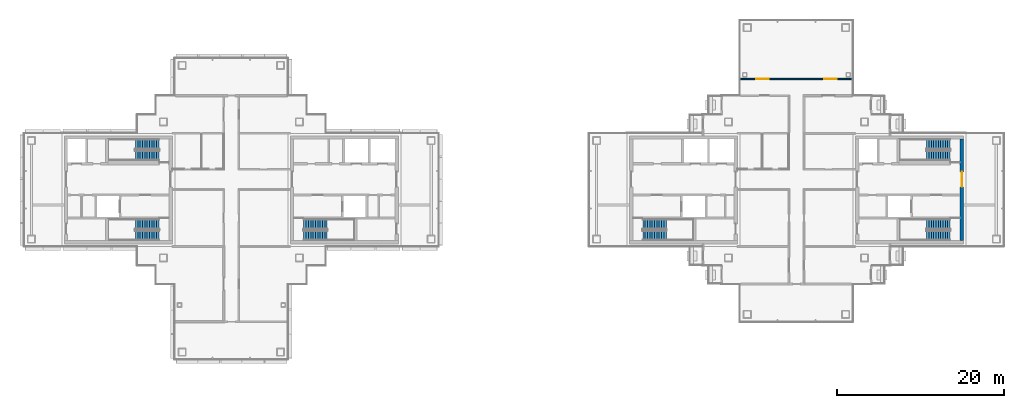
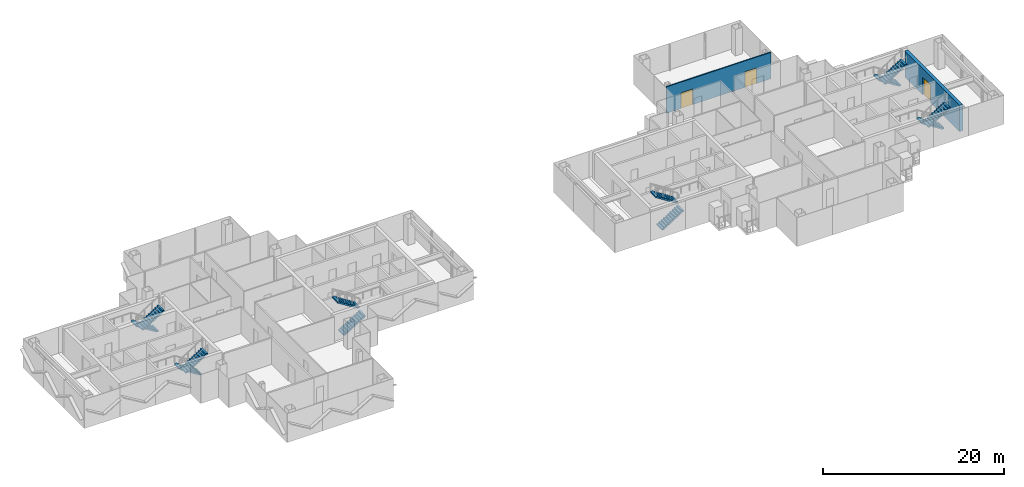
# One storey, part 13 of 17: 12 stair flights, 3 doors, 2 walls, 3 openings, 6 elements without a shape of their own.
"""IFC4 building model written with IfcOpenShell, lengths in metres."""

from ifc_helpers import new_model, si_unit, direction, frame, frame_2d, origin, place, context, subcontext, project, spatial, polyline, rectangle, outline, extrude, material, layer, layer_set, type_object, element, fill, aggregate, save


model = new_model("IFC4")

# Units and contexts
model_context = context("Model", 3, precision=1e-05, world=origin(), true_north=direction((0.0, 1.0)))
body_context = subcontext(model_context, "Body", "Model", "MODEL_VIEW")
ifc_project = project(units=[si_unit("LENGTHUNIT", "METRE"), si_unit("AREAUNIT", "SQUARE_METRE"), si_unit("VOLUMEUNIT", "CUBIC_METRE"), si_unit("PLANEANGLEUNIT", "RADIAN"), si_unit("MASSUNIT", "GRAM", prefix="KILO")], contexts=[model_context])

# Site, building, storey
site_placement = place(None, origin())
site = spatial("IfcSite", under=ifc_project, at=site_placement, CompositionType="ELEMENT")
building_placement = place(site_placement, origin())
building = spatial("IfcBuilding", under=site, at=building_placement, Name="Shamsa Quay Exchange Towers", CompositionType="ELEMENT")
storey_placement = place(building_placement, frame((0.0, 0.0, 234.300048828125)))
storey = spatial("IfcBuildingStorey", under=building, at=storey_placement, Name="L56", CompositionType="ELEMENT", Elevation=234.300048828125)

# Wall, opening, door
ifc_material_1 = material(Name="Concrete C60/75", Category="concrete")
ifc_layer_1 = layer(ifc_material_1, 0.39990234375)
ifc_layer_set_1 = layer_set([ifc_layer_1], Name="CORE WALL 400 C60/75")
wall_type_1 = type_object("IfcWallType", Name="CORE WALL 400 C60/75", PredefinedType="SHEAR", material=ifc_layer_set_1)
wall_1_placement = place(storey_placement, frame((53.5, -6.050048828125, 0.0), z_axis=(0.0, 0.0, 1.0), x_axis=(0.0, 1.0, 0.0)))
wall_1 = element("IfcWall", 1, at=wall_1_placement, inside=storey, type_object=wall_type_1, Name="Core wall T2B-R25-PF", PredefinedType="SHEAR", context=body_context, shape_type="SweptSolid", body=[
    extrude(rectangle(XDim=12.10009765625, YDim=0.39990234375, at=frame_2d((6.050048828125, 0.0))), origin(), (0.0, 0.0, 1.0), 3.550048828125),
])
opening_1_placement = place(wall_1_placement, frame((6.39990234375, 0.0, 0.0)))
opening_1 = element("IfcOpeningElement", 2, at=opening_1_placement, cuts=wall_1, Name="Opening T2B-R25-LBD01", PredefinedType="OPENING", context=body_context, shape_type="SweptSolid", body=[
    extrude(rectangle(XDim=1.800048828125, YDim=2.39990234375, at=frame_2d((0.89990234375, 1.199951171875))), frame((0.0, 0.2099609375, 0.0), z_axis=(0.0, -1.0, 0.0), x_axis=(1.0, 0.0, 0.0)), (0.0, 0.0, 1.0), 0.419921875),
])
ifc_material_2 = material(Name="Steel, fire rated", Category="steel")
door_type_1 = type_object("IfcDoorType", Name="LIFT LOBBY DOOR PAIR 1800", OperationType="DOUBLE_DOOR_SINGLE_SWING", PredefinedType="DOOR", material=ifc_material_2)
door_1_placement = place(opening_1_placement, origin())
door_1 = element("IfcDoor", 3, at=door_1_placement, inside=storey, type_object=door_type_1, Name="T2B-R25-LBD01", OperationType="DOUBLE_DOOR_SINGLE_SWING", OverallHeight=2.39990234375, OverallWidth=1.800048828125, PredefinedType="DOOR", context=body_context, shape_type="SweptSolid", body=[
    extrude(rectangle(XDim=1.800048828125, YDim=2.39990234375, at=frame_2d((0.89990234375, 1.199951171875))), frame((0.0, 0.02490234375, 0.0), z_axis=(0.0, -1.0, 0.0), x_axis=(1.0, 0.0, 0.0)), (0.0, 0.0, 1.0), 0.050048828125),
])
fill(opening_1, door_1)

# Wall, openings, doors
ifc_material_3 = material(Name="Gypsum board partition on metal studs")
ifc_layer_2 = layer(ifc_material_3, 0.14990234375)
ifc_layer_set_2 = layer_set([ifc_layer_2], Name="Partition 150 mm EI 60")
wall_type_2 = type_object("IfcWallType", Name="Partition 150 mm EI 60", PredefinedType="PARTITIONING", material=ifc_layer_set_2)
wall_2_placement = place(storey_placement, frame((40.405029296875, 13.25, 0.0), z_axis=(0.0, 0.0, 1.0), x_axis=(-1.0, 0.0, 0.0)))
wall_2 = element("IfcWall", 4, at=wall_2_placement, inside=storey, type_object=wall_type_2, Name="Partition T2-R25-W13", PredefinedType="PARTITIONING", context=body_context, shape_type="SweptSolid", body=[
    extrude(rectangle(XDim=13.31005859375, YDim=0.14990234375, at=frame_2d((6.655029296875, 0.0))), origin(), (0.0, 0.0, 1.0), 3.550048828125),
])
opening_2_placement = place(wall_2_placement, frame((9.955078125, 0.0, 0.0)))
opening_2 = element("IfcOpeningElement", 5, at=opening_2_placement, cuts=wall_2, Name="Opening T2-R25-D11", PredefinedType="OPENING", context=body_context, shape_type="SweptSolid", body=[
    extrude(rectangle(XDim=1.5, YDim=2.10009765625, at=frame_2d((0.75, 1.050048828125))), frame((0.0, 0.0849609375, 0.0), z_axis=(0.0, -1.0, 0.0), x_axis=(1.0, 0.0, 0.0)), (0.0, 0.0, 1.0), 0.169921875),
])
opening_3_placement = place(wall_2_placement, frame((1.85498046875, 0.0, 0.0)))
opening_3 = element("IfcOpeningElement", 6, at=opening_3_placement, cuts=wall_2, Name="Opening T2-R25-D12", PredefinedType="OPENING", context=body_context, shape_type="SweptSolid", body=[
    extrude(rectangle(XDim=1.5, YDim=2.10009765625, at=frame_2d((0.75, 1.050048828125))), frame((0.0, 0.0849609375, 0.0), z_axis=(0.0, -1.0, 0.0), x_axis=(1.0, 0.0, 0.0)), (0.0, 0.0, 1.0), 0.169921875),
])
ifc_material_4 = material(Name="Timber door leaf in a metal frame", Category="wood")
door_type_2 = type_object("IfcDoorType", Name="Door 1500x2100 FD30S pair", OperationType="NOTDEFINED", PredefinedType="DOOR", material=ifc_material_4)
door_2_placement = place(opening_2_placement, origin())
door_2 = element("IfcDoor", 7, at=door_2_placement, inside=storey, type_object=door_type_2, Name="Door T2-R25-D11", OperationType="DOUBLE_DOOR_SINGLE_SWING", OverallHeight=2.10009765625, OverallWidth=1.5, PredefinedType="DOOR", context=body_context, shape_type="SweptSolid", body=[
    extrude(rectangle(XDim=1.5, YDim=2.10009765625, at=frame_2d((0.75, 1.050048828125))), frame((0.0, 0.02490234375, 0.0), z_axis=(0.0, -1.0, 0.0), x_axis=(1.0, 0.0, 0.0)), (0.0, 0.0, 1.0), 0.050048828125),
])
fill(opening_2, door_2)
door_3_placement = place(opening_3_placement, origin())
door_3 = element("IfcDoor", 8, at=door_3_placement, inside=storey, type_object=door_type_2, Name="Door T2-R25-D12", OperationType="DOUBLE_DOOR_SINGLE_SWING", OverallHeight=2.10009765625, OverallWidth=1.5, PredefinedType="DOOR", context=body_context, shape_type="SweptSolid", body=[
    extrude(rectangle(XDim=1.5, YDim=2.10009765625, at=frame_2d((0.75, 1.050048828125))), frame((0.0, 0.02490234375, 0.0), z_axis=(0.0, -1.0, 0.0), x_axis=(1.0, 0.0, 0.0)), (0.0, 0.0, 1.0), 0.050048828125),
])
fill(opening_3, door_3)

# Stair, stair flights
ifc_material_5 = material(Name="Concrete C40/50", Category="concrete")
stair_type = type_object("IfcStairType", Name="EXIT STAIR 22 RISERS 177 MM", PredefinedType="HALF_TURN_STAIR", material=ifc_material_5)
stair_1_placement = place(storey_placement, origin())
stair_1 = element("IfcStair", 9, at=stair_1_placement, inside=storey, type_object=stair_type, Name="L56 Exit stair ST1", PredefinedType="HALF_TURN_STAIR")
stair_flight_type = type_object("IfcStairFlightType", Name="EXIT STAIR FLIGHT 11 RISERS 177 MM", PredefinedType="STRAIGHT", material=ifc_material_5)
stair_flight_1_placement = place(storey_placement, frame((-25.10009765625, -5.449951171875, 0.0)))
stair_flight_1 = element("IfcStairFlight", 10, at=stair_flight_1_placement, type_object=stair_flight_type, Name="ST1 flight 1", NumberOfRisers=11, NumberOfTreads=10, PredefinedType="STRAIGHT", RiserHeight=0.177272727, TreadLength=0.28, context=body_context, shape_type="SweptSolid", body=[
    extrude(outline(polyline([(0.0, 0.0), (0.0, 0.17724609375), (0.280029296875, 0.17724609375), (0.280029296875, 0.3544921875), (0.56005859375, 0.3544921875), (0.56005859375, 0.53173828125), (0.840087890625, 0.53173828125), (0.840087890625, 0.708984375), (1.1201171875, 0.708984375), (1.1201171875, 0.886474609375), (1.39990234375, 0.886474609375), (1.39990234375, 1.063720703125), (1.679931640625, 1.063720703125), (1.679931640625, 1.240966796875), (1.9599609375, 1.240966796875), (1.9599609375, 1.418212890625), (2.239990234375, 1.418212890625), (2.239990234375, 1.595458984375), (2.52001953125, 1.595458984375), (2.52001953125, 1.772705078125), (2.800048828125, 1.772705078125), (2.800048828125, 1.949951171875), (2.800048828125, 1.607177734375), (0.261474609375, 0.0), (0.0, 0.0)])), frame((0.0, 0.60009765625, 0.0), z_axis=(0.0, -1.0, 0.0), x_axis=(1.0, 0.0, 0.0)), (0.0, 0.0, 1.0), 1.199951171875),
])
stair_flight_2_placement = place(storey_placement, frame((-22.300048828125, -4.10009765625, 1.949951171875), z_axis=(0.0, 0.0, 1.0), x_axis=(-1.0, 0.0, 0.0)))
stair_flight_2 = element("IfcStairFlight", 11, at=stair_flight_2_placement, type_object=stair_flight_type, Name="ST1 flight 2", NumberOfRisers=11, NumberOfTreads=10, PredefinedType="STRAIGHT", RiserHeight=0.177272727, TreadLength=0.28, context=body_context, shape_type="SweptSolid", body=[
    extrude(outline(polyline([(0.0, 0.0), (0.0, 0.17724609375), (0.280029296875, 0.17724609375), (0.280029296875, 0.3544921875), (0.56005859375, 0.3544921875), (0.56005859375, 0.53173828125), (0.840087890625, 0.53173828125), (0.840087890625, 0.708984375), (1.1201171875, 0.708984375), (1.1201171875, 0.886474609375), (1.39990234375, 0.886474609375), (1.39990234375, 1.063720703125), (1.679931640625, 1.063720703125), (1.679931640625, 1.240966796875), (1.9599609375, 1.240966796875), (1.9599609375, 1.418212890625), (2.239990234375, 1.418212890625), (2.239990234375, 1.595458984375), (2.52001953125, 1.595458984375), (2.52001953125, 1.772705078125), (2.800048828125, 1.772705078125), (2.800048828125, 1.949951171875), (2.800048828125, 1.607177734375), (0.261474609375, 0.0), (0.0, 0.0)])), frame((0.0, 0.60009765625, 0.0), z_axis=(0.0, -1.0, 0.0), x_axis=(1.0, 0.0, 0.0)), (0.0, 0.0, 1.0), 1.199951171875),
])
aggregate(stair_1, [stair_flight_1, stair_flight_2])

stair_2_placement = place(storey_placement, origin())
stair_2 = element("IfcStair", 12, at=stair_2_placement, inside=storey, type_object=stair_type, Name="L56 Exit stair ST2", PredefinedType="HALF_TURN_STAIR")
stair_flight_3_placement = place(storey_placement, frame((-42.39990234375, -4.10009765625, 0.0), z_axis=(0.0, 0.0, 1.0), x_axis=(-1.0, 0.0, 0.0)))
stair_flight_3 = element("IfcStairFlight", 13, at=stair_flight_3_placement, type_object=stair_flight_type, Name="ST2 flight 1", NumberOfRisers=11, NumberOfTreads=10, PredefinedType="STRAIGHT", RiserHeight=0.177272727, TreadLength=0.28, context=body_context, shape_type="SweptSolid", body=[
    extrude(outline(polyline([(0.0, 0.0), (0.0, 0.17724609375), (0.280029296875, 0.17724609375), (0.280029296875, 0.3544921875), (0.56005859375, 0.3544921875), (0.56005859375, 0.53173828125), (0.840087890625, 0.53173828125), (0.840087890625, 0.708984375), (1.1201171875, 0.708984375), (1.1201171875, 0.886474609375), (1.39990234375, 0.886474609375), (1.39990234375, 1.063720703125), (1.679931640625, 1.063720703125), (1.679931640625, 1.240966796875), (1.9599609375, 1.240966796875), (1.9599609375, 1.418212890625), (2.239990234375, 1.418212890625), (2.239990234375, 1.595458984375), (2.52001953125, 1.595458984375), (2.52001953125, 1.772705078125), (2.800048828125, 1.772705078125), (2.800048828125, 1.949951171875), (2.800048828125, 1.607177734375), (0.261474609375, 0.0), (0.0, 0.0)])), frame((0.0, 0.60009765625, 0.0), z_axis=(0.0, -1.0, 0.0), x_axis=(1.0, 0.0, 0.0)), (0.0, 0.0, 1.0), 1.199951171875),
])
stair_flight_4_placement = place(storey_placement, frame((-45.199951171875, -5.449951171875, 1.949951171875)))
stair_flight_4 = element("IfcStairFlight", 14, at=stair_flight_4_placement, type_object=stair_flight_type, Name="ST2 flight 2", NumberOfRisers=11, NumberOfTreads=10, PredefinedType="STRAIGHT", RiserHeight=0.177272727, TreadLength=0.28, context=body_context, shape_type="SweptSolid", body=[
    extrude(outline(polyline([(0.0, 0.0), (0.0, 0.17724609375), (0.280029296875, 0.17724609375), (0.280029296875, 0.3544921875), (0.56005859375, 0.3544921875), (0.56005859375, 0.53173828125), (0.840087890625, 0.53173828125), (0.840087890625, 0.708984375), (1.1201171875, 0.708984375), (1.1201171875, 0.886474609375), (1.39990234375, 0.886474609375), (1.39990234375, 1.063720703125), (1.679931640625, 1.063720703125), (1.679931640625, 1.240966796875), (1.9599609375, 1.240966796875), (1.9599609375, 1.418212890625), (2.239990234375, 1.418212890625), (2.239990234375, 1.595458984375), (2.52001953125, 1.595458984375), (2.52001953125, 1.772705078125), (2.800048828125, 1.772705078125), (2.800048828125, 1.949951171875), (2.800048828125, 1.607177734375), (0.261474609375, 0.0), (0.0, 0.0)])), frame((0.0, 0.60009765625, 0.0), z_axis=(0.0, -1.0, 0.0), x_axis=(1.0, 0.0, 0.0)), (0.0, 0.0, 1.0), 1.199951171875),
])
aggregate(stair_2, [stair_flight_3, stair_flight_4])

stair_3_placement = place(storey_placement, origin())
stair_3 = element("IfcStair", 15, at=stair_3_placement, inside=storey, type_object=stair_type, Name="L56 Exit stair ST3", PredefinedType="HALF_TURN_STAIR")
stair_flight_5_placement = place(storey_placement, frame((-42.39990234375, 5.449951171875, 0.0), z_axis=(0.0, 0.0, 1.0), x_axis=(-1.0, 0.0, 0.0)))
stair_flight_5 = element("IfcStairFlight", 16, at=stair_flight_5_placement, type_object=stair_flight_type, Name="ST3 flight 1", NumberOfRisers=11, NumberOfTreads=10, PredefinedType="STRAIGHT", RiserHeight=0.177272727, TreadLength=0.28, context=body_context, shape_type="SweptSolid", body=[
    extrude(outline(polyline([(0.0, 0.0), (0.0, 0.17724609375), (0.280029296875, 0.17724609375), (0.280029296875, 0.3544921875), (0.56005859375, 0.3544921875), (0.56005859375, 0.53173828125), (0.840087890625, 0.53173828125), (0.840087890625, 0.708984375), (1.1201171875, 0.708984375), (1.1201171875, 0.886474609375), (1.39990234375, 0.886474609375), (1.39990234375, 1.063720703125), (1.679931640625, 1.063720703125), (1.679931640625, 1.240966796875), (1.9599609375, 1.240966796875), (1.9599609375, 1.418212890625), (2.239990234375, 1.418212890625), (2.239990234375, 1.595458984375), (2.52001953125, 1.595458984375), (2.52001953125, 1.772705078125), (2.800048828125, 1.772705078125), (2.800048828125, 1.949951171875), (2.800048828125, 1.607177734375), (0.261474609375, 0.0), (0.0, 0.0)])), frame((0.0, 0.60009765625, 0.0), z_axis=(0.0, -1.0, 0.0), x_axis=(1.0, 0.0, 0.0)), (0.0, 0.0, 1.0), 1.199951171875),
])
stair_flight_6_placement = place(storey_placement, frame((-45.199951171875, 4.10009765625, 1.949951171875)))
stair_flight_6 = element("IfcStairFlight", 17, at=stair_flight_6_placement, type_object=stair_flight_type, Name="ST3 flight 2", NumberOfRisers=11, NumberOfTreads=10, PredefinedType="STRAIGHT", RiserHeight=0.177272727, TreadLength=0.28, context=body_context, shape_type="SweptSolid", body=[
    extrude(outline(polyline([(0.0, 0.0), (0.0, 0.17724609375), (0.280029296875, 0.17724609375), (0.280029296875, 0.3544921875), (0.56005859375, 0.3544921875), (0.56005859375, 0.53173828125), (0.840087890625, 0.53173828125), (0.840087890625, 0.708984375), (1.1201171875, 0.708984375), (1.1201171875, 0.886474609375), (1.39990234375, 0.886474609375), (1.39990234375, 1.063720703125), (1.679931640625, 1.063720703125), (1.679931640625, 1.240966796875), (1.9599609375, 1.240966796875), (1.9599609375, 1.418212890625), (2.239990234375, 1.418212890625), (2.239990234375, 1.595458984375), (2.52001953125, 1.595458984375), (2.52001953125, 1.772705078125), (2.800048828125, 1.772705078125), (2.800048828125, 1.949951171875), (2.800048828125, 1.607177734375), (0.261474609375, 0.0), (0.0, 0.0)])), frame((0.0, 0.60009765625, 0.0), z_axis=(0.0, -1.0, 0.0), x_axis=(1.0, 0.0, 0.0)), (0.0, 0.0, 1.0), 1.199951171875),
])
aggregate(stair_3, [stair_flight_5, stair_flight_6])

stair_4_placement = place(storey_placement, origin())
stair_4 = element("IfcStair", 18, at=stair_4_placement, inside=storey, type_object=stair_type, Name="L56 Exit stair ST4", PredefinedType="HALF_TURN_STAIR")
stair_flight_7_placement = place(storey_placement, frame((15.39990234375, -5.449951171875, 0.0)))
stair_flight_7 = element("IfcStairFlight", 19, at=stair_flight_7_placement, type_object=stair_flight_type, Name="ST4 flight 1", NumberOfRisers=11, NumberOfTreads=10, PredefinedType="STRAIGHT", RiserHeight=0.177272727, TreadLength=0.28, context=body_context, shape_type="SweptSolid", body=[
    extrude(outline(polyline([(0.0, 0.0), (0.0, 0.17724609375), (0.280029296875, 0.17724609375), (0.280029296875, 0.3544921875), (0.56005859375, 0.3544921875), (0.56005859375, 0.53173828125), (0.840087890625, 0.53173828125), (0.840087890625, 0.708984375), (1.1201171875, 0.708984375), (1.1201171875, 0.886474609375), (1.39990234375, 0.886474609375), (1.39990234375, 1.063720703125), (1.679931640625, 1.063720703125), (1.679931640625, 1.240966796875), (1.9599609375, 1.240966796875), (1.9599609375, 1.418212890625), (2.239990234375, 1.418212890625), (2.239990234375, 1.595458984375), (2.52001953125, 1.595458984375), (2.52001953125, 1.772705078125), (2.800048828125, 1.772705078125), (2.800048828125, 1.949951171875), (2.800048828125, 1.607177734375), (0.261474609375, 0.0), (0.0, 0.0)])), frame((0.0, 0.60009765625, 0.0), z_axis=(0.0, -1.0, 0.0), x_axis=(1.0, 0.0, 0.0)), (0.0, 0.0, 1.0), 1.199951171875),
])
stair_flight_8_placement = place(storey_placement, frame((18.199951171875, -4.10009765625, 1.949951171875), z_axis=(0.0, 0.0, 1.0), x_axis=(-1.0, 0.0, 0.0)))
stair_flight_8 = element("IfcStairFlight", 20, at=stair_flight_8_placement, type_object=stair_flight_type, Name="ST4 flight 2", NumberOfRisers=11, NumberOfTreads=10, PredefinedType="STRAIGHT", RiserHeight=0.177272727, TreadLength=0.28, context=body_context, shape_type="SweptSolid", body=[
    extrude(outline(polyline([(0.0, 0.0), (0.0, 0.17724609375), (0.280029296875, 0.17724609375), (0.280029296875, 0.3544921875), (0.56005859375, 0.3544921875), (0.56005859375, 0.53173828125), (0.840087890625, 0.53173828125), (0.840087890625, 0.708984375), (1.1201171875, 0.708984375), (1.1201171875, 0.886474609375), (1.39990234375, 0.886474609375), (1.39990234375, 1.063720703125), (1.679931640625, 1.063720703125), (1.679931640625, 1.240966796875), (1.9599609375, 1.240966796875), (1.9599609375, 1.418212890625), (2.239990234375, 1.418212890625), (2.239990234375, 1.595458984375), (2.52001953125, 1.595458984375), (2.52001953125, 1.772705078125), (2.800048828125, 1.772705078125), (2.800048828125, 1.949951171875), (2.800048828125, 1.607177734375), (0.261474609375, 0.0), (0.0, 0.0)])), frame((0.0, 0.60009765625, 0.0), z_axis=(0.0, -1.0, 0.0), x_axis=(1.0, 0.0, 0.0)), (0.0, 0.0, 1.0), 1.199951171875),
])
aggregate(stair_4, [stair_flight_7, stair_flight_8])

stair_5_placement = place(storey_placement, origin())
stair_5 = element("IfcStair", 21, at=stair_5_placement, inside=storey, type_object=stair_type, Name="L56 Exit stair ST5", PredefinedType="HALF_TURN_STAIR")
stair_flight_9_placement = place(storey_placement, frame((52.10009765625, -4.10009765625, 0.0), z_axis=(0.0, 0.0, 1.0), x_axis=(-1.0, 0.0, 0.0)))
stair_flight_9 = element("IfcStairFlight", 22, at=stair_flight_9_placement, type_object=stair_flight_type, Name="ST5 flight 1", NumberOfRisers=11, NumberOfTreads=10, PredefinedType="STRAIGHT", RiserHeight=0.177272727, TreadLength=0.28, context=body_context, shape_type="SweptSolid", body=[
    extrude(outline(polyline([(0.0, 0.0), (0.0, 0.17724609375), (0.280029296875, 0.17724609375), (0.280029296875, 0.3544921875), (0.56005859375, 0.3544921875), (0.56005859375, 0.53173828125), (0.840087890625, 0.53173828125), (0.840087890625, 0.708984375), (1.1201171875, 0.708984375), (1.1201171875, 0.886474609375), (1.39990234375, 0.886474609375), (1.39990234375, 1.063720703125), (1.679931640625, 1.063720703125), (1.679931640625, 1.240966796875), (1.9599609375, 1.240966796875), (1.9599609375, 1.418212890625), (2.239990234375, 1.418212890625), (2.239990234375, 1.595458984375), (2.52001953125, 1.595458984375), (2.52001953125, 1.772705078125), (2.800048828125, 1.772705078125), (2.800048828125, 1.949951171875), (2.800048828125, 1.607177734375), (0.261474609375, 0.0), (0.0, 0.0)])), frame((0.0, 0.60009765625, 0.0), z_axis=(0.0, -1.0, 0.0), x_axis=(1.0, 0.0, 0.0)), (0.0, 0.0, 1.0), 1.199951171875),
])
stair_flight_10_placement = place(storey_placement, frame((49.300048828125, -5.449951171875, 1.949951171875)))
stair_flight_10 = element("IfcStairFlight", 23, at=stair_flight_10_placement, type_object=stair_flight_type, Name="ST5 flight 2", NumberOfRisers=11, NumberOfTreads=10, PredefinedType="STRAIGHT", RiserHeight=0.177272727, TreadLength=0.28, context=body_context, shape_type="SweptSolid", body=[
    extrude(outline(polyline([(0.0, 0.0), (0.0, 0.17724609375), (0.280029296875, 0.17724609375), (0.280029296875, 0.3544921875), (0.56005859375, 0.3544921875), (0.56005859375, 0.53173828125), (0.840087890625, 0.53173828125), (0.840087890625, 0.708984375), (1.1201171875, 0.708984375), (1.1201171875, 0.886474609375), (1.39990234375, 0.886474609375), (1.39990234375, 1.063720703125), (1.679931640625, 1.063720703125), (1.679931640625, 1.240966796875), (1.9599609375, 1.240966796875), (1.9599609375, 1.418212890625), (2.239990234375, 1.418212890625), (2.239990234375, 1.595458984375), (2.52001953125, 1.595458984375), (2.52001953125, 1.772705078125), (2.800048828125, 1.772705078125), (2.800048828125, 1.949951171875), (2.800048828125, 1.607177734375), (0.261474609375, 0.0), (0.0, 0.0)])), frame((0.0, 0.60009765625, 0.0), z_axis=(0.0, -1.0, 0.0), x_axis=(1.0, 0.0, 0.0)), (0.0, 0.0, 1.0), 1.199951171875),
])
aggregate(stair_5, [stair_flight_9, stair_flight_10])

stair_6_placement = place(storey_placement, origin())
stair_6 = element("IfcStair", 24, at=stair_6_placement, inside=storey, type_object=stair_type, Name="L56 Exit stair ST6", PredefinedType="HALF_TURN_STAIR")
stair_flight_11_placement = place(storey_placement, frame((52.10009765625, 5.449951171875, 0.0), z_axis=(0.0, 0.0, 1.0), x_axis=(-1.0, 0.0, 0.0)))
stair_flight_11 = element("IfcStairFlight", 25, at=stair_flight_11_placement, type_object=stair_flight_type, Name="ST6 flight 1", NumberOfRisers=11, NumberOfTreads=10, PredefinedType="STRAIGHT", RiserHeight=0.177272727, TreadLength=0.28, context=body_context, shape_type="SweptSolid", body=[
    extrude(outline(polyline([(0.0, 0.0), (0.0, 0.17724609375), (0.280029296875, 0.17724609375), (0.280029296875, 0.3544921875), (0.56005859375, 0.3544921875), (0.56005859375, 0.53173828125), (0.840087890625, 0.53173828125), (0.840087890625, 0.708984375), (1.1201171875, 0.708984375), (1.1201171875, 0.886474609375), (1.39990234375, 0.886474609375), (1.39990234375, 1.063720703125), (1.679931640625, 1.063720703125), (1.679931640625, 1.240966796875), (1.9599609375, 1.240966796875), (1.9599609375, 1.418212890625), (2.239990234375, 1.418212890625), (2.239990234375, 1.595458984375), (2.52001953125, 1.595458984375), (2.52001953125, 1.772705078125), (2.800048828125, 1.772705078125), (2.800048828125, 1.949951171875), (2.800048828125, 1.607177734375), (0.261474609375, 0.0), (0.0, 0.0)])), frame((0.0, 0.60009765625, 0.0), z_axis=(0.0, -1.0, 0.0), x_axis=(1.0, 0.0, 0.0)), (0.0, 0.0, 1.0), 1.199951171875),
])
stair_flight_12_placement = place(storey_placement, frame((49.300048828125, 4.10009765625, 1.949951171875)))
stair_flight_12 = element("IfcStairFlight", 26, at=stair_flight_12_placement, type_object=stair_flight_type, Name="ST6 flight 2", NumberOfRisers=11, NumberOfTreads=10, PredefinedType="STRAIGHT", RiserHeight=0.177272727, TreadLength=0.28, context=body_context, shape_type="SweptSolid", body=[
    extrude(outline(polyline([(0.0, 0.0), (0.0, 0.17724609375), (0.280029296875, 0.17724609375), (0.280029296875, 0.3544921875), (0.56005859375, 0.3544921875), (0.56005859375, 0.53173828125), (0.840087890625, 0.53173828125), (0.840087890625, 0.708984375), (1.1201171875, 0.708984375), (1.1201171875, 0.886474609375), (1.39990234375, 0.886474609375), (1.39990234375, 1.063720703125), (1.679931640625, 1.063720703125), (1.679931640625, 1.240966796875), (1.9599609375, 1.240966796875), (1.9599609375, 1.418212890625), (2.239990234375, 1.418212890625), (2.239990234375, 1.595458984375), (2.52001953125, 1.595458984375), (2.52001953125, 1.772705078125), (2.800048828125, 1.772705078125), (2.800048828125, 1.949951171875), (2.800048828125, 1.607177734375), (0.261474609375, 0.0), (0.0, 0.0)])), frame((0.0, 0.60009765625, 0.0), z_axis=(0.0, -1.0, 0.0), x_axis=(1.0, 0.0, 0.0)), (0.0, 0.0, 1.0), 1.199951171875),
])
aggregate(stair_6, [stair_flight_11, stair_flight_12])

save(model, "model.ifc")
